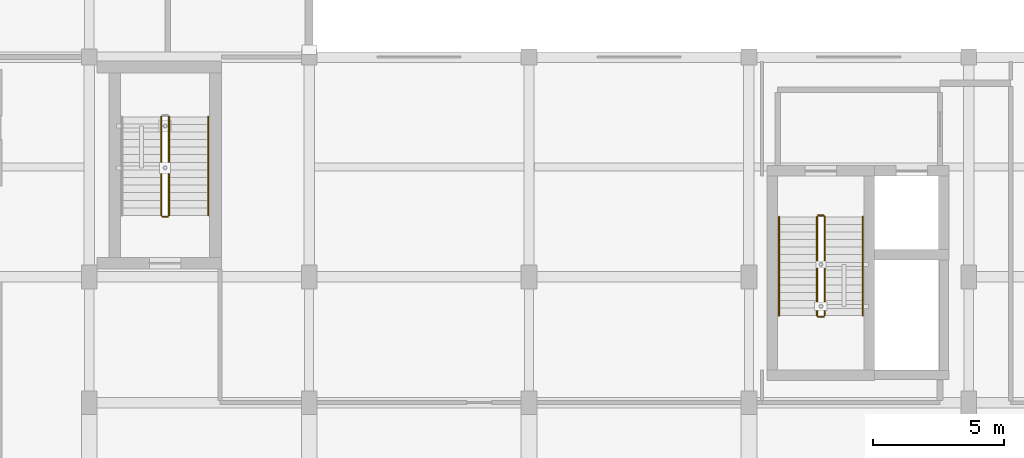
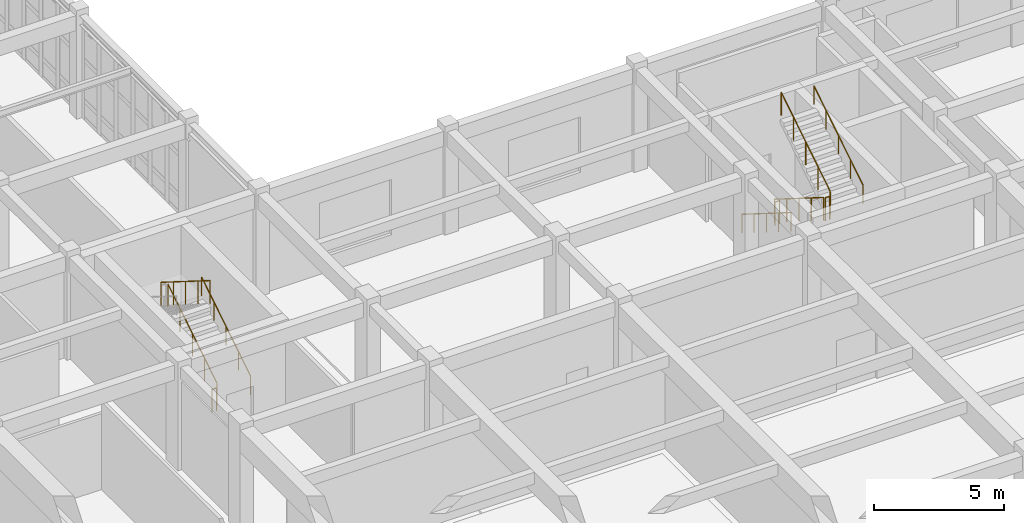
# One storey, part 86 of 93: 10 railings.
"""IFC4 building model written with IfcOpenShell, lengths in metres."""

from ifc_helpers import new_model, si_unit, direction, frame, origin, origin_2d, place, context, subcontext, project, spatial, circle, extrude, material, type_object, element, save


model = new_model("IFC4")

# Units and contexts
model_context = context("Model", 3, precision=1e-05, world=origin(), true_north=direction((0.0, 1.0)))
body_context = subcontext(model_context, "Body", "Model", "MODEL_VIEW")
ifc_project = project(units=[si_unit("LENGTHUNIT", "METRE"), si_unit("AREAUNIT", "SQUARE_METRE"), si_unit("VOLUMEUNIT", "CUBIC_METRE"), si_unit("PLANEANGLEUNIT", "RADIAN"), si_unit("MASSUNIT", "GRAM", prefix="KILO")], contexts=[model_context])

# Site, building, storey
site_placement = place(None, origin())
site = spatial("IfcSite", under=ifc_project, at=site_placement, CompositionType="ELEMENT")
building_placement = place(site_placement, origin())
building = spatial("IfcBuilding", under=site, at=building_placement, Name="Krzemoval Escarpment Law Courts", CompositionType="ELEMENT")
storey_placement = place(building_placement, frame((0.0, 0.0, 10.199951171875)))
storey = spatial("IfcBuildingStorey", under=building, at=storey_placement, Name="L02", CompositionType="ELEMENT", Elevation=10.199951171875)

# Railings
ifc_material_1 = material(Name="Galvanised Steel S355", Category="steel")
railing_type_1 = type_object("IfcRailingType", Name="RL-GRD-1100", PredefinedType="GUARDRAIL", material=ifc_material_1)
railing_1_placement = place(storey_placement, frame((61.39990234375, 29.300048828125, 0.18212890625)))
element("IfcRailing", 1, at=railing_1_placement, inside=storey, type_object=railing_type_1, Name="L02 ST4 stair guard 1", PredefinedType="GUARDRAIL", context=body_context, shape_type="SweptSolid", body=[
    extrude(circle(Radius=0.02392578125, at=origin_2d()), frame((0.0, 0.0, 1.076171875), z_axis=(0.0, -0.846819337722, 0.53188063441), x_axis=(1.0, 0.0, 0.0)), (0.0, 0.0, 1.0), 4.451904296875),
    extrude(circle(Radius=0.02099609375, at=origin_2d()), origin(), (0.0, 0.0, 1.0), 1.052001953125),
    extrude(circle(Radius=0.02099609375, at=origin_2d()), frame((0.0, -0.9423828125, 0.592041015625)), (0.0, 0.0, 1.0), 1.052001953125),
    extrude(circle(Radius=0.02099609375, at=origin_2d()), frame((0.0, -1.885009765625, 1.18408203125)), (0.0, 0.0, 1.0), 1.052001953125),
    extrude(circle(Radius=0.02099609375, at=origin_2d()), frame((0.0, -2.82763671875, 1.77587890625)), (0.0, 0.0, 1.0), 1.052001953125),
    extrude(circle(Radius=0.02099609375, at=origin_2d()), frame((0.0, -3.77001953125, 2.367919921875)), (0.0, 0.0, 1.0), 1.052001953125),
])
railing_2_placement = place(storey_placement, frame((61.449951171875, 25.47998046875, 2.550048828125)))
element("IfcRailing", 2, at=railing_2_placement, inside=storey, type_object=railing_type_1, Name="L02 ST4 stair guard 2", PredefinedType="GUARDRAIL", context=body_context, shape_type="SweptSolid", body=[
    extrude(circle(Radius=0.02392578125, at=origin_2d()), frame((0.0, 0.0, 1.076171875), z_axis=(1.0, 0.0, 0.0), x_axis=(0.0, 1.0, 0.0)), (0.0, 0.0, 1.0), 0.199951171875),
    extrude(circle(Radius=0.02099609375, at=origin_2d()), origin(), (0.0, 0.0, 1.0), 1.052001953125),
    extrude(circle(Radius=0.02099609375, at=origin_2d()), frame((0.199951171875, 0.0, 0.0)), (0.0, 0.0, 1.0), 1.052001953125),
])
railing_3_placement = place(storey_placement, frame((61.699951171875, 25.530029296875, 2.732177734375)))
element("IfcRailing", 3, at=railing_3_placement, inside=storey, type_object=railing_type_1, Name="L02 ST4 stair guard 3", PredefinedType="GUARDRAIL", context=body_context, shape_type="SweptSolid", body=[
    extrude(circle(Radius=0.02392578125, at=origin_2d()), frame((0.0, 0.0, 1.076171875), z_axis=(0.0, 0.846819337722, 0.53188063441), x_axis=(-1.0, 0.0, 0.0)), (0.0, 0.0, 1.0), 4.451904296875),
    extrude(circle(Radius=0.02099609375, at=origin_2d()), origin(), (0.0, 0.0, 1.0), 1.052001953125),
    extrude(circle(Radius=0.02099609375, at=origin_2d()), frame((0.0, 0.9423828125, 0.592041015625)), (0.0, 0.0, 1.0), 1.052001953125),
    extrude(circle(Radius=0.02099609375, at=origin_2d()), frame((0.0, 1.885009765625, 1.18408203125)), (0.0, 0.0, 1.0), 1.052001953125),
    extrude(circle(Radius=0.02099609375, at=origin_2d()), frame((0.0, 2.82763671875, 1.77587890625)), (0.0, 0.0, 1.0), 1.052001953125),
    extrude(circle(Radius=0.02099609375, at=origin_2d()), frame((0.0, 3.77001953125, 2.367919921875)), (0.0, 0.0, 1.0), 1.052001953125),
])
railing_4_placement = place(storey_placement, frame((61.449951171875, 29.35009765625, 0.0)))
element("IfcRailing", 4, at=railing_4_placement, inside=storey, type_object=railing_type_1, Name="L02 ST4 stair guard 4", PredefinedType="GUARDRAIL", context=body_context, shape_type="SweptSolid", body=[
    extrude(circle(Radius=0.02392578125, at=origin_2d()), frame((0.0, 0.0, 1.076171875), z_axis=(1.0, 0.0, 0.0), x_axis=(0.0, 1.0, 0.0)), (0.0, 0.0, 1.0), 0.199951171875),
    extrude(circle(Radius=0.02099609375, at=origin_2d()), origin(), (0.0, 0.0, 1.0), 1.052001953125),
    extrude(circle(Radius=0.02099609375, at=origin_2d()), frame((0.199951171875, 0.0, 0.0)), (0.0, 0.0, 1.0), 1.052001953125),
])
railing_5_placement = place(storey_placement, frame((36.64990234375, 29.35009765625, 0.18212890625)))
element("IfcRailing", 5, at=railing_5_placement, inside=storey, type_object=railing_type_1, Name="L02 ST9 stair guard 1", PredefinedType="GUARDRAIL", context=body_context, shape_type="SweptSolid", body=[
    extrude(circle(Radius=0.02392578125, at=origin_2d()), frame((0.0, 0.0, 1.076171875), z_axis=(0.0, 0.846819337722, 0.53188063441), x_axis=(-1.0, 0.0, 0.0)), (0.0, 0.0, 1.0), 4.451904296875),
    extrude(circle(Radius=0.02099609375, at=origin_2d()), origin(), (0.0, 0.0, 1.0), 1.052001953125),
    extrude(circle(Radius=0.02099609375, at=origin_2d()), frame((0.0, 0.9423828125, 0.592041015625)), (0.0, 0.0, 1.0), 1.052001953125),
    extrude(circle(Radius=0.02099609375, at=origin_2d()), frame((0.0, 1.885009765625, 1.18408203125)), (0.0, 0.0, 1.0), 1.052001953125),
    extrude(circle(Radius=0.02099609375, at=origin_2d()), frame((0.0, 2.82763671875, 1.77587890625)), (0.0, 0.0, 1.0), 1.052001953125),
    extrude(circle(Radius=0.02099609375, at=origin_2d()), frame((0.0, 3.77001953125, 2.367919921875)), (0.0, 0.0, 1.0), 1.052001953125),
])
railing_6_placement = place(storey_placement, frame((36.35009765625, 33.1201171875, 2.732177734375)))
element("IfcRailing", 6, at=railing_6_placement, inside=storey, type_object=railing_type_1, Name="L02 ST9 stair guard 3", PredefinedType="GUARDRAIL", context=body_context, shape_type="SweptSolid", body=[
    extrude(circle(Radius=0.02392578125, at=origin_2d()), frame((0.0, 0.0, 1.076171875), z_axis=(0.0, -0.846819337722, 0.53188063441), x_axis=(1.0, 0.0, 0.0)), (0.0, 0.0, 1.0), 4.451904296875),
    extrude(circle(Radius=0.02099609375, at=origin_2d()), origin(), (0.0, 0.0, 1.0), 1.052001953125),
    extrude(circle(Radius=0.02099609375, at=origin_2d()), frame((0.0, -0.9423828125, 0.592041015625)), (0.0, 0.0, 1.0), 1.052001953125),
    extrude(circle(Radius=0.02099609375, at=origin_2d()), frame((0.0, -1.885009765625, 1.18408203125)), (0.0, 0.0, 1.0), 1.052001953125),
    extrude(circle(Radius=0.02099609375, at=origin_2d()), frame((0.0, -2.82763671875, 1.77587890625)), (0.0, 0.0, 1.0), 1.052001953125),
    extrude(circle(Radius=0.02099609375, at=origin_2d()), frame((0.0, -3.77001953125, 2.367919921875)), (0.0, 0.0, 1.0), 1.052001953125),
])
railing_7_placement = place(storey_placement, frame((36.60009765625, 29.300048828125, 0.0)))
element("IfcRailing", 7, at=railing_7_placement, inside=storey, type_object=railing_type_1, Name="L02 ST9 stair guard 4", PredefinedType="GUARDRAIL", context=body_context, shape_type="SweptSolid", body=[
    extrude(circle(Radius=0.02392578125, at=origin_2d()), frame((0.0, 0.0, 1.076171875), z_axis=(-1.0, 0.0, 0.0), x_axis=(0.0, -1.0, 0.0)), (0.0, 0.0, 1.0), 0.2001953125),
    extrude(circle(Radius=0.02099609375, at=origin_2d()), origin(), (0.0, 0.0, 1.0), 1.052001953125),
    extrude(circle(Radius=0.02099609375, at=origin_2d()), frame((-0.2001953125, 0.0, 0.0)), (0.0, 0.0, 1.0), 1.052001953125),
])
ifc_material_2 = material(Name="Brushed Stainless Steel Grade 304 Handrail", Category="steel")
railing_type_2 = type_object("IfcRailingType", Name="RL-HND-900", PredefinedType="HANDRAIL", material=ifc_material_2)
railing_8_placement = place(storey_placement, frame((59.949951171875, 29.300048828125, 0.18212890625)))
element("IfcRailing", 8, at=railing_8_placement, inside=storey, type_object=railing_type_2, Name="L02 ST4 stair handrail 1", PredefinedType="HANDRAIL", context=body_context, shape_type="SweptSolid", body=[
    extrude(circle(Radius=0.02392578125, at=origin_2d()), frame((0.0, 0.0, 0.8759765625), z_axis=(0.0, -0.846819337722, 0.53188063441), x_axis=(1.0, 0.0, 0.0)), (0.0, 0.0, 1.0), 4.451904296875),
    extrude(circle(Radius=0.02099609375, at=origin_2d()), origin(), (0.0, 0.0, 1.0), 0.851806640625),
    extrude(circle(Radius=0.02099609375, at=origin_2d()), frame((0.0, -0.9423828125, 0.592041015625)), (0.0, 0.0, 1.0), 0.851806640625),
    extrude(circle(Radius=0.02099609375, at=origin_2d()), frame((0.0, -1.885009765625, 1.18408203125)), (0.0, 0.0, 1.0), 0.851806640625),
    extrude(circle(Radius=0.02099609375, at=origin_2d()), frame((0.0, -2.82763671875, 1.77587890625)), (0.0, 0.0, 1.0), 0.851806640625),
    extrude(circle(Radius=0.02099609375, at=origin_2d()), frame((0.0, -3.77001953125, 2.367919921875)), (0.0, 0.0, 1.0), 0.851806640625),
])
for number, where, name in (
    (9, (63.14990234375, 25.530029296875, 2.732177734375), "L02 ST4 stair handrail 2"),
    (10, (38.14990234375, 29.35009765625, 0.18212890625), "L02 ST9 stair handrail 1"),
):
    element("IfcRailing", number, at=place(storey_placement, frame(where)), inside=storey, type_object=railing_type_2, Name=name, PredefinedType="HANDRAIL", context=body_context, shape_type="SweptSolid", body=[
        extrude(circle(Radius=0.02392578125, at=origin_2d()), frame((0.0, 0.0, 0.8759765625), z_axis=(0.0, 0.846819337722, 0.53188063441), x_axis=(-1.0, 0.0, 0.0)), (0.0, 0.0, 1.0), 4.451904296875),
        extrude(circle(Radius=0.02099609375, at=origin_2d()), origin(), (0.0, 0.0, 1.0), 0.851806640625),
        extrude(circle(Radius=0.02099609375, at=origin_2d()), frame((0.0, 0.9423828125, 0.592041015625)), (0.0, 0.0, 1.0), 0.851806640625),
        extrude(circle(Radius=0.02099609375, at=origin_2d()), frame((0.0, 1.885009765625, 1.18408203125)), (0.0, 0.0, 1.0), 0.851806640625),
        extrude(circle(Radius=0.02099609375, at=origin_2d()), frame((0.0, 2.82763671875, 1.77587890625)), (0.0, 0.0, 1.0), 0.851806640625),
        extrude(circle(Radius=0.02099609375, at=origin_2d()), frame((0.0, 3.77001953125, 2.367919921875)), (0.0, 0.0, 1.0), 0.851806640625),
    ])

save(model, "model.ifc")
